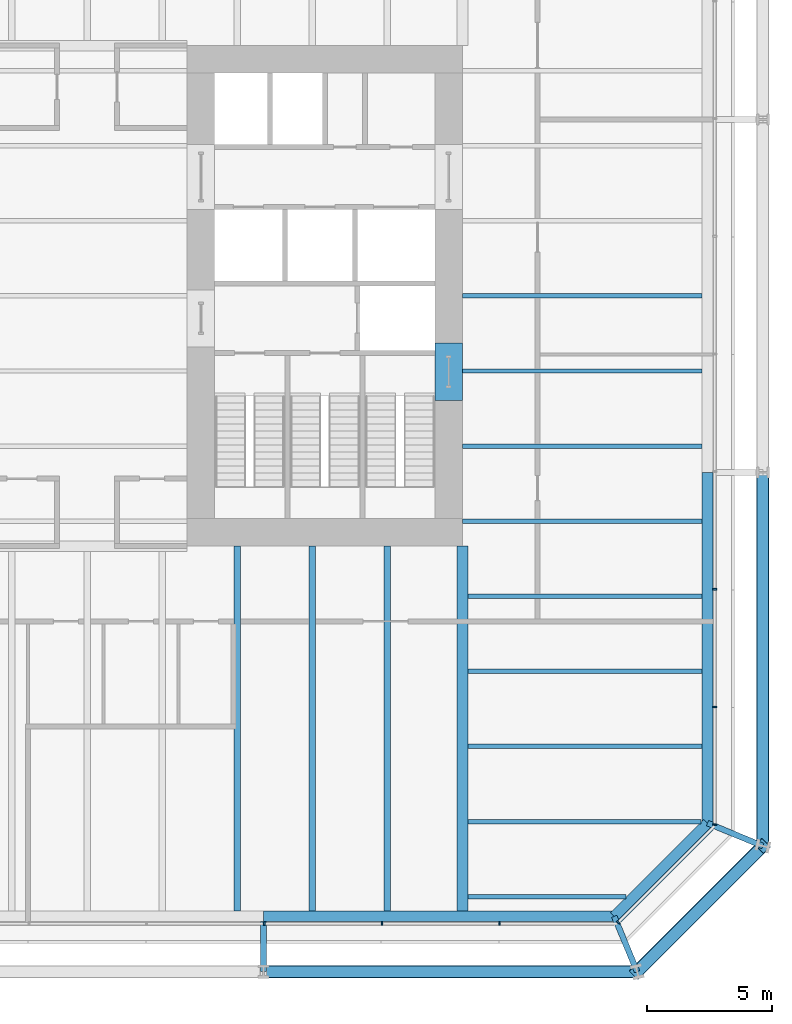
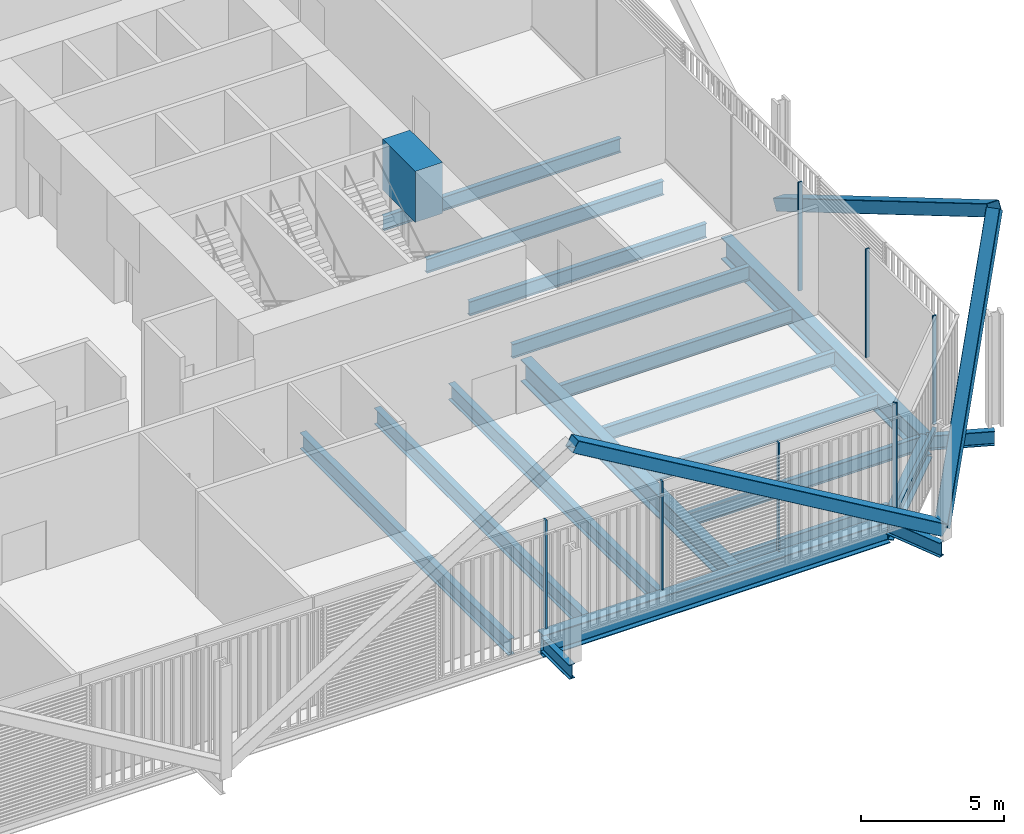
# One storey, part 8 of 22: 20 beams, 11 members, 3 elements without a shape of their own.
"""IFC4 building model written with IfcOpenShell, lengths in metres."""

from ifc_helpers import new_model, si_unit, direction, frame, origin, origin_2d, place, context, subcontext, project, spatial, rectangle, hollow_rectangle, i_section, extrude, material, layer, layer_set, material_profile, profile_set, type_object, element, aggregate, save


model = new_model("IFC4")

# Units and contexts
model_context = context("Model", 3, precision=1e-05, world=origin(), true_north=direction((0.0, 1.0)))
body_context = subcontext(model_context, "Body", "Model", "MODEL_VIEW")
ifc_project = project(units=[si_unit("LENGTHUNIT", "METRE"), si_unit("AREAUNIT", "SQUARE_METRE"), si_unit("VOLUMEUNIT", "CUBIC_METRE"), si_unit("PLANEANGLEUNIT", "RADIAN"), si_unit("MASSUNIT", "GRAM", prefix="KILO")], contexts=[model_context])

# Site, building, storey
site_placement = place(None, origin())
site = spatial("IfcSite", under=ifc_project, at=site_placement, CompositionType="ELEMENT")
building_placement = place(site_placement, origin())
building = spatial("IfcBuilding", under=site, at=building_placement, Name="Millrace Tower", CompositionType="ELEMENT")
storey_placement = place(building_placement, frame((0.0, 0.0, 20.89990234375)))
storey = spatial("IfcBuildingStorey", under=building, at=storey_placement, Name="L05", CompositionType="ELEMENT", Elevation=20.89990234375)

# Curtain wall, members
ifc_material_1 = material(Name="Aluminium and glass", Category="aluminium")
ifc_layer = layer(ifc_material_1, 0.14990234375)
ifc_layer_set = layer_set([ifc_layer], Name="Aluminium and glass")
curtain_wall_type = type_object("IfcCurtainWallType", Name="CW-2 data hall insulated curtain wall", PredefinedType="NOTDEFINED", material=ifc_layer_set)
placement = place(storey_placement, origin())
curtain_wall_1 = element("IfcCurtainWall", 1, at=placement, inside=storey, type_object=curtain_wall_type, Name="Curtain wall A-F02 L05", PredefinedType="NOTDEFINED")
ifc_material_2 = material(Name="Aluminium", Category="aluminium")
ifc_material_profile_1 = material_profile(ifc_material_2, rectangle(XDim=0.06494140625, YDim=0.14990234375, at=origin_2d()))
ifc_profile_set_1 = profile_set([ifc_material_profile_1], Name="Aluminium")
member_type_1 = type_object("IfcMemberType", Name="CW-2 data hall insulated curtain wall mullion", PredefinedType="MULLION", material=ifc_profile_set_1)
member_1_placement = place(storey_placement, frame((7.08251953125, -25.074951171875, 0.16015625), z_axis=(0.0, 0.0, 1.0), x_axis=(1.0, 0.0, 0.0)))
member_1 = element("IfcMember", 2, at=member_1_placement, type_object=member_type_1, Name="CW2 mullion A-F02.7", PredefinedType="MULLION", context=body_context, shape_type="SweptSolid", body=[
    extrude(rectangle(XDim=0.06494140625, YDim=0.14990234375, at=origin_2d()), origin(), (0.0, 0.0, 1.0), 4.639892578125),
])
member_2_placement = place(storey_placement, frame((11.782470703125, -25.074951171875, 0.16015625), z_axis=(0.0, 0.0, 1.0), x_axis=(1.0, 0.0, 0.0)))
member_2 = element("IfcMember", 3, at=member_2_placement, type_object=member_type_1, Name="CW2 mullion A-F02.8", PredefinedType="MULLION", context=body_context, shape_type="SweptSolid", body=[
    extrude(rectangle(XDim=0.06494140625, YDim=0.14990234375, at=origin_2d()), origin(), (0.0, 0.0, 1.0), 4.639892578125),
])
member_3_placement = place(storey_placement, frame((16.482421875, -25.074951171875, 0.16015625), z_axis=(0.0, 0.0, 1.0), x_axis=(1.0, 0.0, 0.0)))
member_3 = element("IfcMember", 4, at=member_3_placement, type_object=member_type_1, Name="CW2 mullion A-F02.9", PredefinedType="MULLION", context=body_context, shape_type="SweptSolid", body=[
    extrude(rectangle(XDim=0.06494140625, YDim=0.14990234375, at=origin_2d()), origin(), (0.0, 0.0, 1.0), 4.639892578125),
])
aggregate(curtain_wall_1, [member_1, member_2, member_3])

# Curtain wall, member
curtain_wall_2 = element("IfcCurtainWall", 5, at=placement, inside=storey, type_object=curtain_wall_type, Name="Curtain wall A-F03 L05", PredefinedType="NOTDEFINED")
member_4_placement = place(storey_placement, frame((21.22607421875, -25.030029296875, 0.16015625), z_axis=(0.0, 0.0, 1.0), x_axis=(0.707106781187, 0.707106781187, 0.0)))
member_4 = element("IfcMember", 6, at=member_4_placement, type_object=member_type_1, Name="CW2 mullion A-F03.1", PredefinedType="MULLION", context=body_context, shape_type="SweptSolid", body=[
    extrude(rectangle(XDim=0.06494140625, YDim=0.14990234375, at=origin_2d()), origin(), (0.0, 0.0, 1.0), 4.639892578125),
])

# Curtain wall, members
curtain_wall_3 = element("IfcCurtainWall", 7, at=placement, inside=storey, type_object=curtain_wall_type, Name="Curtain wall A-F04 L05", PredefinedType="NOTDEFINED")
member_5_placement = place(storey_placement, frame((25.074951171875, -21.117431640625, 0.16015625), z_axis=(0.0, 0.0, 1.0), x_axis=(0.0, 1.0, 0.0)))
member_5 = element("IfcMember", 8, at=member_5_placement, type_object=member_type_1, Name="CW2 mullion A-F04.1", PredefinedType="MULLION", context=body_context, shape_type="SweptSolid", body=[
    extrude(rectangle(XDim=0.06494140625, YDim=0.14990234375, at=origin_2d()), origin(), (0.0, 0.0, 1.0), 4.639892578125),
])
member_6_placement = place(storey_placement, frame((25.074951171875, -16.41748046875, 0.16015625), z_axis=(0.0, 0.0, 1.0), x_axis=(0.0, 1.0, 0.0)))
member_6 = element("IfcMember", 9, at=member_6_placement, type_object=member_type_1, Name="CW2 mullion A-F04.2", PredefinedType="MULLION", context=body_context, shape_type="SweptSolid", body=[
    extrude(rectangle(XDim=0.06494140625, YDim=0.14990234375, at=origin_2d()), origin(), (0.0, 0.0, 1.0), 4.639892578125),
])
member_7_placement = place(storey_placement, frame((25.074951171875, -11.717529296875, 0.16015625), z_axis=(0.0, 0.0, 1.0), x_axis=(0.0, 1.0, 0.0)))
member_7 = element("IfcMember", 10, at=member_7_placement, type_object=member_type_1, Name="CW2 mullion A-F04.3", PredefinedType="MULLION", context=body_context, shape_type="SweptSolid", body=[
    extrude(rectangle(XDim=0.06494140625, YDim=0.14990234375, at=origin_2d()), origin(), (0.0, 0.0, 1.0), 4.639892578125),
])
aggregate(curtain_wall_3, [member_5, member_6, member_7])

# Member
ifc_material_3 = material(Name="Aluminium", Category="aluminium")
ifc_material_profile_2 = material_profile(ifc_material_3, rectangle(XDim=0.14990234375, YDim=0.159912109375, at=origin_2d()))
ifc_profile_set_2 = profile_set([ifc_material_profile_2], Name="Aluminium")
member_type_2 = type_object("IfcMemberType", Name="CW-2 data hall insulated curtain wall transom", PredefinedType="USERDEFINED", material=ifc_profile_set_2)
member_8_placement = place(storey_placement, frame((21.273681640625, -24.982421875, 0.080078125), z_axis=(0.707106781187, 0.707106781187, 0.0), x_axis=(-0.707106781187, 0.707106781187, 0.0)))
member_8 = element("IfcMember", 11, at=member_8_placement, type_object=member_type_2, Name="CW2 transom A-F03.1", ObjectType="TRANSOM", PredefinedType="USERDEFINED", context=body_context, shape_type="SweptSolid", body=[
    extrude(rectangle(XDim=0.14990234375, YDim=0.159912109375, at=origin_2d()), origin(), (0.0, 0.0, 1.0), 5.244873046875),
])

aggregate(curtain_wall_2, [member_4, member_8])

# Beam
ifc_material_4 = material(Name="Concrete C80", Category="concrete")
ifc_material_profile_3 = material_profile(ifc_material_4, rectangle(XDim=1.10009765625, YDim=2.175048828125, at=origin_2d()))
ifc_profile_set_3 = profile_set([ifc_material_profile_3], Name="Concrete C80")
beam_type_1 = type_object("IfcBeamType", Name="Coupling beam 1100 x 2175 Concrete C80, 1300 opening", PredefinedType="BEAM", material=ifc_profile_set_3)
beam_1_placement = place(storey_placement, frame((14.449951171875, -1.88818359375, 3.487548828125), z_axis=(0.0, -1.0, 0.0), x_axis=(1.0, 0.0, 0.0)))
element("IfcBeam", 12, at=beam_1_placement, inside=storey, type_object=beam_type_1, Name="Coupling beam E L05", PredefinedType="BEAM", context=body_context, shape_type="SweptSolid", body=[
    extrude(rectangle(XDim=1.10009765625, YDim=2.175048828125, at=origin_2d()), origin(), (0.0, 0.0, 1.0), 2.28369140625),
])

# Members
ifc_material_5 = material(Name="Steel ASTM A500 Grade C", Category="steel")
ifc_material_profile_4 = material_profile(ifc_material_5, hollow_rectangle(XDim=0.508056640625, YDim=0.508056640625, WallThickness=0.022216796875, InnerFilletRadius=0.01123046875, OuterFilletRadius=0.033447265625, at=origin_2d()))
ifc_profile_set_4 = profile_set([ifc_material_profile_4], Name="Steel ASTM A500 Grade C")
member_type_3 = type_object("IfcMemberType", Name="Exoskeleton brace HSS20x20x7/8", PredefinedType="BRACE", material=ifc_profile_set_4)
member_9_placement = place(storey_placement, frame((21.978515625, -27.0, 0.400146484375), z_axis=(-0.861464835883, 0.0, 0.507817227491), x_axis=(0.0, -1.0, 0.0)))
element("IfcMember", 13, at=member_9_placement, inside=storey, type_object=member_type_3, Name="BRC-A-L05-04", PredefinedType="BRACE", context=body_context, shape_type="SweptSolid", body=[
    extrude(hollow_rectangle(XDim=0.508056640625, YDim=0.508056640625, WallThickness=0.022216796875, InnerFilletRadius=0.01123046875, OuterFilletRadius=0.033447265625, at=origin_2d()), origin(), (0.0, 0.0, 1.0), 17.3291015625),
])
member_10_placement = place(storey_placement, frame((21.978515625, -27.0, 0.400146484375), z_axis=(0.444063713793, 0.444063713793, 0.77821259061), x_axis=(-0.707106781187, 0.707106781187, 0.0)))
element("IfcMember", 14, at=member_10_placement, inside=storey, type_object=member_type_3, Name="BRC-A-L05-05", PredefinedType="BRACE", context=body_context, shape_type="SweptSolid", body=[
    extrude(hollow_rectangle(XDim=0.508056640625, YDim=0.508056640625, WallThickness=0.022216796875, InnerFilletRadius=0.01123046875, OuterFilletRadius=0.033447265625, at=origin_2d()), origin(), (0.0, 0.0, 1.0), 11.30810546875),
])
member_11_placement = place(storey_placement, frame((27.0, -7.050048828125, 0.400146484375), z_axis=(0.0, -0.861464835883, 0.507817227491), x_axis=(1.0, 0.0, 0.0)))
element("IfcMember", 15, at=member_11_placement, inside=storey, type_object=member_type_3, Name="BRC-A-L05-06", PredefinedType="BRACE", context=body_context, shape_type="SweptSolid", body=[
    extrude(hollow_rectangle(XDim=0.508056640625, YDim=0.508056640625, WallThickness=0.022216796875, InnerFilletRadius=0.01123046875, OuterFilletRadius=0.033447265625, at=origin_2d()), origin(), (0.0, 0.0, 1.0), 17.3291015625),
])

# Beams
ifc_material_6 = material(Name="Steel ASTM A992 Grade 50", Category="steel")
ifc_material_profile_5 = material_profile(ifc_material_6, i_section(OverallWidth=0.177978515625, OverallDepth=0.599365234375, WebThickness=0.010009765625, FlangeThickness=0.012939453125, FilletRadius=0.012939453125, at=origin_2d()))
ifc_profile_set_5 = profile_set([ifc_material_profile_5], Name="Steel ASTM A992 Grade 50")
beam_type_2 = type_object("IfcBeamType", Name="Floor beam W24x55", PredefinedType="JOIST", material=ifc_profile_set_5)
beam_2_placement = place(storey_placement, frame((15.212158203125, -24.0, -0.524658203125), z_axis=(1.0, 0.0, 0.0), x_axis=(0.0, 1.0, 0.0)))
element("IfcBeam", 16, at=beam_2_placement, inside=storey, type_object=beam_type_2, Name="BM-A-L05-S1-S002", PredefinedType="JOIST", context=body_context, shape_type="SweptSolid", body=[
    extrude(i_section(OverallWidth=0.177978515625, OverallDepth=0.599365234375, WebThickness=0.010009765625, FlangeThickness=0.012939453125, FilletRadius=0.012939453125, at=origin_2d()), origin(), (0.0, 0.0, 1.0), 6.317626953125),
])
ifc_material_7 = material(Name="Steel ASTM A992 Grade 50", Category="steel")
ifc_material_profile_6 = material_profile(ifc_material_7, i_section(OverallWidth=0.1787109375, OverallDepth=0.60205078125, WebThickness=0.010986328125, FlangeThickness=0.014892578125, FilletRadius=0.0126953125, at=origin_2d()))
ifc_profile_set_6 = profile_set([ifc_material_profile_6], Name="Steel ASTM A992 Grade 50")
beam_type_3 = type_object("IfcBeamType", Name="Floor beam W24x62", PredefinedType="JOIST", material=ifc_profile_set_6)
for number, where, z_axis, x_axis, name in (
    (17, (15.212158203125, -18.0, -0.52587890625), (1.0, 0.0, 0.0), (0.0, 1.0, 0.0), "BM-A-L05-S1-S006"),
    (18, (15.212158203125, -15.0, -0.52587890625), (1.0, 0.0, 0.0), (0.0, 1.0, 0.0), "BM-A-L05-S1-S008"),
    (19, (15.212158203125, -12.0, -0.52587890625), (1.0, 0.0, 0.0), (0.0, 1.0, 0.0), "BM-A-L05-S1-S010"),
):
    element("IfcBeam", number, at=place(storey_placement, frame(where, z_axis=z_axis, x_axis=x_axis)), inside=storey, type_object=beam_type_3, Name=name, PredefinedType="JOIST", context=body_context, shape_type="SweptSolid", body=[
        extrude(i_section(OverallWidth=0.1787109375, OverallDepth=0.60205078125, WebThickness=0.010986328125, FlangeThickness=0.014892578125, FilletRadius=0.0126953125, at=origin_2d()), origin(), (0.0, 0.0, 1.0), 9.3662109375),
    ])
for number, where, z_axis, x_axis, name in (
    (20, (15.0, -9.0, -0.52587890625), (1.0, 0.0, 0.0), (0.0, 1.0, 0.0), "BM-A-L05-S1-S013"),
    (21, (15.0, -6.0, -0.52587890625), (1.0, 0.0, 0.0), (0.0, 1.0, 0.0), "BM-A-L05-S1-S016"),
    (22, (15.0, -3.0, -0.52587890625), (1.0, 0.0, 0.0), (0.0, 1.0, 0.0), "BM-A-L05-S1-S019"),
    (23, (15.0, 0.0, -0.52587890625), (1.0, 0.0, 0.0), (0.0, 1.0, 0.0), "BM-A-L05-S1-S022"),
):
    element("IfcBeam", number, at=place(storey_placement, frame(where, z_axis=z_axis, x_axis=x_axis)), inside=storey, type_object=beam_type_3, Name=name, PredefinedType="JOIST", context=body_context, shape_type="SweptSolid", body=[
        extrude(i_section(OverallWidth=0.1787109375, OverallDepth=0.60205078125, WebThickness=0.010986328125, FlangeThickness=0.014892578125, FilletRadius=0.0126953125, at=origin_2d()), origin(), (0.0, 0.0, 1.0), 9.578369140625),
    ])
beam_3_placement = place(storey_placement, frame((15.212158203125, -21.0, -0.52587890625), z_axis=(1.0, 0.0, 0.0), x_axis=(0.0, 1.0, 0.0)))
element("IfcBeam", 24, at=beam_3_placement, inside=storey, type_object=beam_type_3, Name="BM-A-L05-S1-S004", PredefinedType="JOIST", context=body_context, shape_type="SweptSolid", body=[
    extrude(i_section(OverallWidth=0.1787109375, OverallDepth=0.60205078125, WebThickness=0.010986328125, FlangeThickness=0.014892578125, FilletRadius=0.0126953125, at=origin_2d()), origin(), (0.0, 0.0, 1.0), 9.317626953125),
])
ifc_material_8 = material(Name="Steel ASTM A992 Grade 50", Category="steel")
ifc_material_profile_7 = material_profile(ifc_material_8, i_section(OverallWidth=0.256591796875, OverallDepth=0.693359375, WebThickness=0.014404296875, FlangeThickness=0.023681640625, FilletRadius=0.01513671875, at=origin_2d()))
ifc_profile_set_7 = profile_set([ifc_material_profile_7], Name="Steel ASTM A992 Grade 50")
beam_type_4 = type_object("IfcBeamType", Name="Floor beam W27x114", PredefinedType="JOIST", material=ifc_profile_set_7)
for number, where, z_axis, x_axis, name in (
    (25, (6.0, -24.578369140625, -0.571533203125), (0.0, 1.0, 0.0), (-1.0, 0.0, 0.0), "BM-A-L05-S1-S055"),
    (26, (9.0, -24.578369140625, -0.571533203125), (0.0, 1.0, 0.0), (-1.0, 0.0, 0.0), "BM-A-L05-S1-S057"),
    (27, (12.0, -24.578369140625, -0.571533203125), (0.0, 1.0, 0.0), (-1.0, 0.0, 0.0), "BM-A-L05-S1-S059"),
):
    element("IfcBeam", number, at=place(storey_placement, frame(where, z_axis=z_axis, x_axis=x_axis)), inside=storey, type_object=beam_type_4, Name=name, PredefinedType="JOIST", context=body_context, shape_type="SweptSolid", body=[
        extrude(i_section(OverallWidth=0.256591796875, OverallDepth=0.693359375, WebThickness=0.014404296875, FlangeThickness=0.023681640625, FilletRadius=0.01513671875, at=origin_2d()), origin(), (0.0, 0.0, 1.0), 14.578369140625),
    ])
ifc_material_9 = material(Name="Steel ASTM A992 Grade 50", Category="steel")
ifc_material_profile_8 = material_profile(ifc_material_9, i_section(OverallWidth=0.424072265625, OverallDepth=0.947509765625, WebThickness=0.02392578125, FlangeThickness=0.042724609375, FilletRadius=0.024169921875, at=origin_2d()))
ifc_profile_set_8 = profile_set([ifc_material_profile_8], Name="Steel ASTM A992 Grade 50")
beam_type_5 = type_object("IfcBeamType", Name="Girder medium span W36x302", PredefinedType="BEAM", material=ifc_profile_set_8)
beam_4_placement = place(storey_placement, frame((15.0, -24.578369140625, -0.69873046875), z_axis=(0.0, 1.0, 0.0), x_axis=(-1.0, 0.0, 0.0)))
element("IfcBeam", 28, at=beam_4_placement, inside=storey, type_object=beam_type_5, Name="BM-A-L05-S1-G063", PredefinedType="BEAM", context=body_context, shape_type="SweptSolid", body=[
    extrude(i_section(OverallWidth=0.424072265625, OverallDepth=0.947509765625, WebThickness=0.02392578125, FlangeThickness=0.042724609375, FilletRadius=0.024169921875, at=origin_2d()), origin(), (0.0, 0.0, 1.0), 14.578369140625),
])
ifc_material_10 = material(Name="Steel ASTM A992 Grade 50", Category="steel")
ifc_material_profile_9 = material_profile(ifc_material_10, i_section(OverallWidth=0.23046875, OverallDepth=0.6171875, WebThickness=0.01318359375, FlangeThickness=0.022216796875, FilletRadius=0.012939453125, at=origin_2d()))
ifc_profile_set_9 = profile_set([ifc_material_profile_9], Name="Steel ASTM A992 Grade 50")
beam_type_6 = type_object("IfcBeamType", Name="Link beam W24x94", PredefinedType="BEAM", material=ifc_profile_set_9)
for number, where, z_axis, x_axis, name in (
    (29, (24.7890625, -21.062744140625, -0.533447265625), (0.923883789366, -0.382673155247, 0.0), (0.382673155247, 0.923883789366, 0.0), "LNK-A-L05-S1-12"),
    (30, (21.062744140625, -24.7890625, -0.533447265625), (0.382673155247, -0.923883789366, 0.0), (0.923883789366, 0.382673155247, 0.0), "LNK-A-L05-S1-13"),
):
    element("IfcBeam", number, at=place(storey_placement, frame(where, z_axis=z_axis, x_axis=x_axis)), inside=storey, type_object=beam_type_6, Name=name, PredefinedType="BEAM", context=body_context, shape_type="SweptSolid", body=[
        extrude(i_section(OverallWidth=0.23046875, OverallDepth=0.6171875, WebThickness=0.01318359375, FlangeThickness=0.022216796875, FilletRadius=0.012939453125, at=origin_2d()), origin(), (0.0, 0.0, 1.0), 2.39306640625),
    ])
beam_5_placement = place(storey_placement, frame((7.050048828125, -25.0, -0.533447265625), z_axis=(0.0, -1.0, 0.0), x_axis=(1.0, 0.0, 0.0)))
element("IfcBeam", 31, at=beam_5_placement, inside=storey, type_object=beam_type_6, Name="LNK-A-L05-S1-14", PredefinedType="BEAM", context=body_context, shape_type="SweptSolid", body=[
    extrude(i_section(OverallWidth=0.23046875, OverallDepth=0.6171875, WebThickness=0.01318359375, FlangeThickness=0.022216796875, FilletRadius=0.012939453125, at=origin_2d()), origin(), (0.0, 0.0, 1.0), 2.0),
])
ifc_material_11 = material(Name="Steel ASTM A992 Grade 50", Category="steel")
ifc_material_profile_10 = material_profile(ifc_material_11, i_section(OverallWidth=0.421630859375, OverallDepth=0.937255859375, WebThickness=0.021240234375, FlangeThickness=0.03662109375, FilletRadius=0.024169921875, at=origin_2d()))
ifc_profile_set_10 = profile_set([ifc_material_profile_10], Name="Steel ASTM A992 Grade 50")
beam_type_7 = type_object("IfcBeamType", Name="Ring beam medium span W36x262", PredefinedType="SPANDREL", material=ifc_profile_set_10)
for number, where, z_axis, x_axis, name in (
    (32, (24.7890625, -7.050048828125, -0.693603515625), (0.0, -1.0, 0.0), (1.0, 0.0, 0.0), "RNG-A-L05-S1-11"),
    (33, (21.062744140625, -24.7890625, -0.693603515625), (-1.0, 0.0, 0.0), (0.0, -1.0, 0.0), "RNG-A-L05-S1-13"),
):
    element("IfcBeam", number, at=place(storey_placement, frame(where, z_axis=z_axis, x_axis=x_axis)), inside=storey, type_object=beam_type_7, Name=name, PredefinedType="SPANDREL", context=body_context, shape_type="SweptSolid", body=[
        extrude(i_section(OverallWidth=0.421630859375, OverallDepth=0.937255859375, WebThickness=0.021240234375, FlangeThickness=0.03662109375, FilletRadius=0.024169921875, at=origin_2d()), origin(), (0.0, 0.0, 1.0), 14.0126953125),
    ])
ifc_material_12 = material(Name="Steel ASTM A992 Grade 50", Category="steel")
ifc_material_profile_11 = material_profile(ifc_material_12, i_section(OverallWidth=0.421630859375, OverallDepth=0.937255859375, WebThickness=0.021240234375, FlangeThickness=0.03662109375, FilletRadius=0.024169921875, at=origin_2d()))
ifc_profile_set_11 = profile_set([ifc_material_profile_11], Name="Steel ASTM A992 Grade 50")
beam_type_8 = type_object("IfcBeamType", Name="Ring beam short span W36x262", PredefinedType="SPANDREL", material=ifc_profile_set_11)
beam_6_placement = place(storey_placement, frame((24.7890625, -21.062744140625, -0.693603515625), z_axis=(-0.707106781187, -0.707106781187, 0.0), x_axis=(0.707106781187, -0.707106781187, 0.0)))
element("IfcBeam", 34, at=beam_6_placement, inside=storey, type_object=beam_type_8, Name="RNG-A-L05-S1-12", PredefinedType="SPANDREL", context=body_context, shape_type="SweptSolid", body=[
    extrude(i_section(OverallWidth=0.421630859375, OverallDepth=0.937255859375, WebThickness=0.021240234375, FlangeThickness=0.03662109375, FilletRadius=0.024169921875, at=origin_2d()), origin(), (0.0, 0.0, 1.0), 5.269775390625),
])

save(model, "model.ifc")
